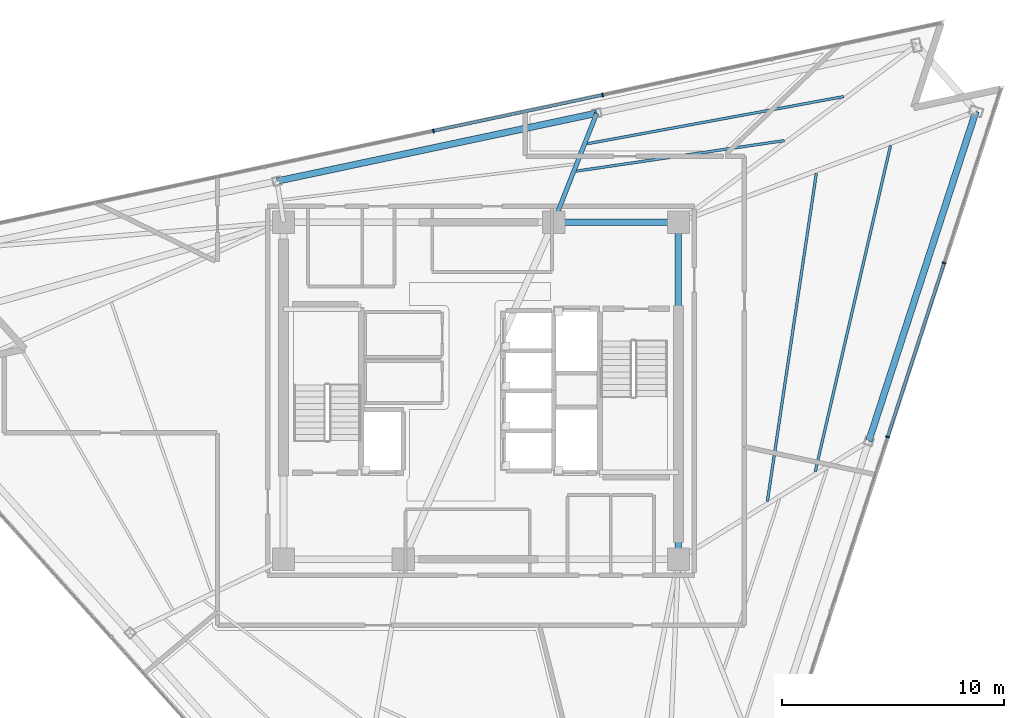
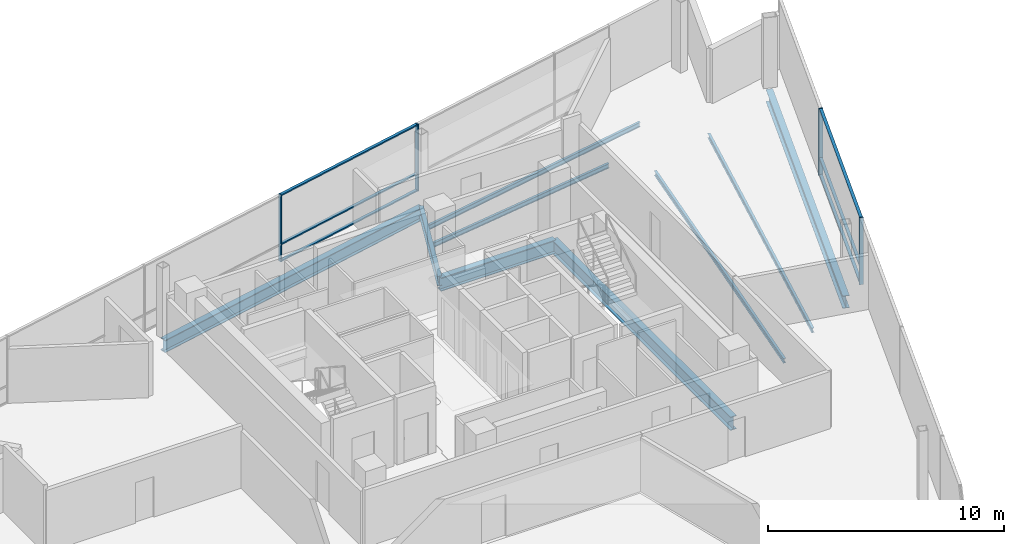
# One storey, part 7 of 15: 10 members, 9 beams, 2 elements without a shape of their own.
"""IFC4 building model written with IfcOpenShell, lengths in metres."""

from ifc_helpers import new_model, si_unit, direction, frame, origin, origin_2d, place, context, subcontext, project, spatial, rectangle, i_section, extrude, material, layer, layer_set, material_profile, profile_set, type_object, element, aggregate, save


model = new_model("IFC4")

# Units and contexts
model_context = context("Model", 3, precision=1e-05, world=origin(), true_north=direction((0.0, 1.0)))
body_context = subcontext(model_context, "Body", "Model", "MODEL_VIEW")
ifc_project = project(units=[si_unit("LENGTHUNIT", "METRE"), si_unit("AREAUNIT", "SQUARE_METRE"), si_unit("VOLUMEUNIT", "CUBIC_METRE"), si_unit("PLANEANGLEUNIT", "RADIAN"), si_unit("MASSUNIT", "GRAM", prefix="KILO")], contexts=[model_context])

# Site, building, storey
site_placement = place(None, origin())
site = spatial("IfcSite", under=ifc_project, at=site_placement, CompositionType="ELEMENT")
building_placement = place(site_placement, origin())
building = spatial("IfcBuilding", under=site, at=building_placement, Name="Tharavind Bronze Gate", CompositionType="ELEMENT")
storey_placement = place(building_placement, frame((0.0, 0.0, 283.39990234375)))
storey = spatial("IfcBuildingStorey", under=building, at=storey_placement, Name="L73", CompositionType="ELEMENT", Elevation=283.39990234375)

# Curtain wall, members
ifc_material_1 = material(Name="Anodised Bronze Aluminium", Category="aluminium")
ifc_layer = layer(ifc_material_1, 0.219970703125)
ifc_layer_set = layer_set([ifc_layer], Name="Anodised Bronze Aluminium")
curtain_wall_type = type_object("IfcCurtainWallType", Name="UNITISED CURTAIN WALL CROWN", PredefinedType="USERDEFINED", material=ifc_layer_set)
curtain_wall_1_placement = place(storey_placement, origin())
curtain_wall_1 = element("IfcCurtainWall", 1, at=curtain_wall_1_placement, inside=storey, type_object=curtain_wall_type, Name="L73 unitised curtain wall crown CW-L73-S2", ObjectType="UNITISED CURTAIN WALL", PredefinedType="USERDEFINED")
member_type_1 = type_object("IfcMemberType", Name="CURTAIN WALL BRONZE MULLION 65X180", PredefinedType="MULLION", material=ifc_material_1)
member_1_placement = place(storey_placement, frame((18.336181640625, -2.08544921875, 0.0), z_axis=(0.0, 0.0, 1.0), x_axis=(0.309016994375, 0.951056516295, 0.0)))
member_1 = element("IfcMember", 2, at=member_1_placement, type_object=member_type_1, Name="CW-L73-S2 mullion 5", PredefinedType="MULLION", context=body_context, shape_type="SweptSolid", body=[
    extrude(rectangle(XDim=0.06494140625, YDim=0.179931640625, at=origin_2d()), origin(), (0.0, 0.0, 1.0), 3.465087890625),
])
member_2_placement = place(storey_placement, frame((20.885009765625, 5.759033203125, 0.0), z_axis=(0.0, 0.0, 1.0), x_axis=(0.309016994375, 0.951056516295, 0.0)))
member_2 = element("IfcMember", 3, at=member_2_placement, type_object=member_type_1, Name="CW-L73-S2 mullion 6", PredefinedType="MULLION", context=body_context, shape_type="SweptSolid", body=[
    extrude(rectangle(XDim=0.06494140625, YDim=0.179931640625, at=origin_2d()), origin(), (0.0, 0.0, 1.0), 3.465087890625),
])

curtain_wall_2_placement = place(storey_placement, origin())
curtain_wall_2 = element("IfcCurtainWall", 4, at=curtain_wall_2_placement, inside=storey, type_object=curtain_wall_type, Name="L73 unitised curtain wall crown CW-L73-S3", ObjectType="UNITISED CURTAIN WALL", PredefinedType="USERDEFINED")
member_3_placement = place(storey_placement, frame((5.487548828125, 13.33740234375, 0.0), z_axis=(0.0, 0.0, 1.0), x_axis=(-0.978147237858, -0.207913398007, 0.0)))
member_3 = element("IfcMember", 5, at=member_3_placement, type_object=member_type_1, Name="CW-L73-S3 mullion 3", PredefinedType="MULLION", context=body_context, shape_type="SweptSolid", body=[
    extrude(rectangle(XDim=0.06494140625, YDim=0.179931640625, at=origin_2d()), origin(), (0.0, 0.0, 1.0), 3.465087890625),
])
member_4_placement = place(storey_placement, frame((-2.14453125, 11.715087890625, 0.0), z_axis=(0.0, 0.0, 1.0), x_axis=(-0.978147237858, -0.207913398007, 0.0)))
member_4 = element("IfcMember", 6, at=member_4_placement, type_object=member_type_1, Name="CW-L73-S3 mullion 4", PredefinedType="MULLION", context=body_context, shape_type="SweptSolid", body=[
    extrude(rectangle(XDim=0.06494140625, YDim=0.179931640625, at=origin_2d()), origin(), (0.0, 0.0, 1.0), 3.465087890625),
])

# Member
member_type_2 = type_object("IfcMemberType", Name="CURTAIN WALL BRONZE TRANSOM 65X140", PredefinedType="USERDEFINED", material=ifc_material_1)
member_5_placement = place(storey_placement, frame((19.610595703125, 1.8369140625, 0.000244140625), z_axis=(0.0, 0.0, 1.0), x_axis=(0.309016994375, 0.951056516295, 0.0)))
member_5 = element("IfcMember", 7, at=member_5_placement, type_object=member_type_2, Name="CW-L73-S2 transom TB5", ObjectType="TRANSOM", PredefinedType="USERDEFINED", context=body_context, shape_type="SweptSolid", body=[
    extrude(rectangle(XDim=8.195068359375, YDim=0.139892578125, at=origin_2d()), origin(), (0.0, 0.0, 1.0), 0.06494140625),
])

member_6_placement = place(storey_placement, frame((19.610595703125, 1.8369140625, 0.86767578125), z_axis=(0.0, 0.0, 1.0), x_axis=(0.309016994375, 0.951056516295, 0.0)))
member_6 = element("IfcMember", 8, at=member_6_placement, type_object=member_type_2, Name="CW-L73-S2 transom TS5", ObjectType="TRANSOM", PredefinedType="USERDEFINED", context=body_context, shape_type="SweptSolid", body=[
    extrude(rectangle(XDim=8.195068359375, YDim=0.139892578125, at=origin_2d()), origin(), (0.0, 0.0, 1.0), 0.06494140625),
])

member_7_placement = place(storey_placement, frame((19.610595703125, 1.8369140625, 3.400146484375), z_axis=(0.0, 0.0, 1.0), x_axis=(0.309016994375, 0.951056516295, 0.0)))
member_7 = element("IfcMember", 9, at=member_7_placement, type_object=member_type_2, Name="CW-L73-S2 transom TT5", ObjectType="TRANSOM", PredefinedType="USERDEFINED", context=body_context, shape_type="SweptSolid", body=[
    extrude(rectangle(XDim=8.195068359375, YDim=0.139892578125, at=origin_2d()), origin(), (0.0, 0.0, 1.0), 0.06494140625),
])

aggregate(curtain_wall_1, [member_1, member_2, member_5, member_6, member_7])

member_8_placement = place(storey_placement, frame((1.67138671875, 12.526123046875, 0.000244140625), z_axis=(0.0, 0.0, 1.0), x_axis=(-0.978147237858, -0.207913398007, 0.0)))
member_8 = element("IfcMember", 10, at=member_8_placement, type_object=member_type_2, Name="CW-L73-S3 transom TB3", ObjectType="TRANSOM", PredefinedType="USERDEFINED", context=body_context, shape_type="SweptSolid", body=[
    extrude(rectangle(XDim=7.749755859375, YDim=0.139892578125, at=origin_2d()), origin(), (0.0, 0.0, 1.0), 0.06494140625),
])

member_9_placement = place(storey_placement, frame((1.67138671875, 12.526123046875, 0.86767578125), z_axis=(0.0, 0.0, 1.0), x_axis=(-0.978147237858, -0.207913398007, 0.0)))
member_9 = element("IfcMember", 11, at=member_9_placement, type_object=member_type_2, Name="CW-L73-S3 transom TS3", ObjectType="TRANSOM", PredefinedType="USERDEFINED", context=body_context, shape_type="SweptSolid", body=[
    extrude(rectangle(XDim=7.749755859375, YDim=0.139892578125, at=origin_2d()), origin(), (0.0, 0.0, 1.0), 0.06494140625),
])

member_10_placement = place(storey_placement, frame((1.67138671875, 12.526123046875, 3.400146484375), z_axis=(0.0, 0.0, 1.0), x_axis=(-0.978147237858, -0.207913398007, 0.0)))
member_10 = element("IfcMember", 12, at=member_10_placement, type_object=member_type_2, Name="CW-L73-S3 transom TT3", ObjectType="TRANSOM", PredefinedType="USERDEFINED", context=body_context, shape_type="SweptSolid", body=[
    extrude(rectangle(XDim=7.749755859375, YDim=0.139892578125, at=origin_2d()), origin(), (0.0, 0.0, 1.0), 0.06494140625),
])

aggregate(curtain_wall_2, [member_3, member_4, member_8, member_9, member_10])

# Beams
ifc_material_2 = material(Name="Steel S355", Category="steel")
ifc_material_profile_1 = material_profile(ifc_material_2, i_section(OverallWidth=0.300048828125, OverallDepth=0.64990234375, WebThickness=0.01611328125, FlangeThickness=0.031005859375, at=origin_2d()), Name="HE650B")
ifc_profile_set_1 = profile_set([ifc_material_profile_1], Name="Steel S355")
beam_type_1 = type_object("IfcBeamType", Name="PRIMARY GIRDER HE650B", PredefinedType="USERDEFINED", material=ifc_profile_set_1)
beam_1_placement = place(storey_placement, frame((17.4892578125, -2.265380859375, -0.510009765625), z_axis=(0.309011547215, 0.951058286168, 0.0), x_axis=(-0.951058286168, 0.309011547215, 0.0)))
element("IfcBeam", 13, at=beam_1_placement, inside=storey, type_object=beam_type_1, Name="L73 primary girder he650b BM-L73-PRG07", ObjectType="GIRDER", PredefinedType="USERDEFINED", context=body_context, shape_type="SweptSolid", body=[
    extrude(i_section(OverallWidth=0.300048828125, OverallDepth=0.64990234375, WebThickness=0.01611328125, FlangeThickness=0.031005859375, at=origin_2d()), origin(), (0.0, 0.0, 1.0), 15.6298828125),
])
beam_2_placement = place(storey_placement, frame((5.219970703125, 12.513671875, -0.510009765625), z_axis=(-0.97814794647, -0.207910064249, 0.0), x_axis=(0.207910064249, -0.97814794647, 0.0)))
element("IfcBeam", 14, at=beam_2_placement, inside=storey, type_object=beam_type_1, Name="L73 primary girder he650b BM-L73-PRG10", ObjectType="GIRDER", PredefinedType="USERDEFINED", context=body_context, shape_type="SweptSolid", body=[
    extrude(i_section(OverallWidth=0.300048828125, OverallDepth=0.64990234375, WebThickness=0.01611328125, FlangeThickness=0.031005859375, at=origin_2d()), origin(), (0.0, 0.0, 1.0), 14.7392578125),
])
ifc_material_profile_2 = material_profile(ifc_material_2, i_section(OverallWidth=0.199951171875, OverallDepth=0.5, WebThickness=0.01025390625, FlangeThickness=0.01611328125, at=origin_2d()), Name="IPE500")
ifc_profile_set_2 = profile_set([ifc_material_profile_2], Name="Steel S355")
beam_type_2 = type_object("IfcBeamType", Name="PRIMARY GIRDER IPE500", PredefinedType="USERDEFINED", material=ifc_profile_set_2)
beam_3_placement = place(storey_placement, frame((5.219970703125, 12.513671875, -0.434814453125), z_axis=(-0.367227563748, -0.930131128618, 0.0), x_axis=(0.930131128618, -0.367227563748, 0.0)))
element("IfcBeam", 15, at=beam_3_placement, inside=storey, type_object=beam_type_2, Name="L73 primary girder ipe500 BM-L73-RAD10", ObjectType="GIRDER", PredefinedType="USERDEFINED", context=body_context, shape_type="SweptSolid", body=[
    extrude(i_section(OverallWidth=0.199951171875, OverallDepth=0.5, WebThickness=0.01025390625, FlangeThickness=0.01611328125, at=origin_2d()), origin(), (0.0, 0.0, 1.0), 5.28271484375),
])
ifc_material_profile_3 = material_profile(ifc_material_2, i_section(OverallWidth=0.300048828125, OverallDepth=0.699951171875, WebThickness=0.01708984375, FlangeThickness=0.031982421875, at=origin_2d()), Name="HE700B")
ifc_profile_set_3 = profile_set([ifc_material_profile_3], Name="Steel S355")
beam_type_3 = type_object("IfcBeamType", Name="RING GIRDER HE700B", PredefinedType="USERDEFINED", material=ifc_profile_set_3)
beam_4_placement = place(storey_placement, frame((8.89990234375, -7.60009765625, -0.534912109375), z_axis=(0.0, 1.0, 0.0), x_axis=(-1.0, 0.0, 0.0)))
element("IfcBeam", 16, at=beam_4_placement, inside=storey, type_object=beam_type_3, Name="L73 ring girder he700b BM-L73-CR3", ObjectType="GIRDER", PredefinedType="USERDEFINED", context=body_context, shape_type="SweptSolid", body=[
    extrude(i_section(OverallWidth=0.300048828125, OverallDepth=0.699951171875, WebThickness=0.01708984375, FlangeThickness=0.031982421875, at=origin_2d()), origin(), (0.0, 0.0, 1.0), 15.2001953125),
])
beam_5_placement = place(storey_placement, frame((8.89990234375, 7.60009765625, -0.534912109375), z_axis=(-1.0, 0.0, 0.0), x_axis=(0.0, -1.0, 0.0)))
element("IfcBeam", 17, at=beam_5_placement, inside=storey, type_object=beam_type_3, Name="L73 ring girder he700b BM-L73-CR4", ObjectType="GIRDER", PredefinedType="USERDEFINED", context=body_context, shape_type="SweptSolid", body=[
    extrude(i_section(OverallWidth=0.300048828125, OverallDepth=0.699951171875, WebThickness=0.01708984375, FlangeThickness=0.031982421875, at=origin_2d()), origin(), (0.0, 0.0, 1.0), 5.619873046875),
])
ifc_material_profile_4 = material_profile(ifc_material_2, i_section(OverallWidth=0.1201171875, OverallDepth=0.239990234375, WebThickness=0.006103515625, FlangeThickness=0.009765625, at=origin_2d()), Name="IPE240")
ifc_profile_set_4 = profile_set([ifc_material_profile_4], Name="Steel S355")
beam_type_4 = type_object("IfcBeamType", Name="SECONDARY FLOOR JOIST IPE240", PredefinedType="JOIST", material=ifc_profile_set_4)
beam_6_placement = place(storey_placement, frame((12.913818359375, -4.985595703125, -0.304931640625), z_axis=(0.147668368553, 0.989036932035, 0.0), x_axis=(-0.989036932035, 0.147668368553, 0.0)))
element("IfcBeam", 18, at=beam_6_placement, inside=storey, type_object=beam_type_4, Name="L73 secondary floor joist ipe240 BM-L73-JSTA07", PredefinedType="JOIST", context=body_context, shape_type="SweptSolid", body=[
    extrude(i_section(OverallWidth=0.1201171875, OverallDepth=0.239990234375, WebThickness=0.006103515625, FlangeThickness=0.009765625, at=origin_2d()), origin(), (0.0, 0.0, 1.0), 14.95751953125),
])
beam_7_placement = place(storey_placement, frame((15.073974609375, -3.644287109375, -0.304931640625), z_axis=(0.224913878483, 0.974378646762, 0.0), x_axis=(-0.974378646762, 0.224913878483, 0.0)))
element("IfcBeam", 19, at=beam_7_placement, inside=storey, type_object=beam_type_4, Name="L73 secondary floor joist ipe240 BM-L73-JSTB07", PredefinedType="JOIST", context=body_context, shape_type="SweptSolid", body=[
    extrude(i_section(OverallWidth=0.1201171875, OverallDepth=0.239990234375, WebThickness=0.006103515625, FlangeThickness=0.009765625, at=origin_2d()), origin(), (0.0, 0.0, 1.0), 15.0849609375),
])
beam_8_placement = place(storey_placement, frame((13.679931640625, 11.278564453125, -0.304931640625), z_axis=(-0.989403029467, -0.145195197172, 0.0), x_axis=(0.145195197172, -0.989403029467, 0.0)))
element("IfcBeam", 20, at=beam_8_placement, inside=storey, type_object=beam_type_4, Name="L73 secondary floor joist ipe240 BM-L73-JSTA09", PredefinedType="JOIST", context=body_context, shape_type="SweptSolid", body=[
    extrude(i_section(OverallWidth=0.1201171875, OverallDepth=0.239990234375, WebThickness=0.006103515625, FlangeThickness=0.009765625, at=origin_2d()), origin(), (0.0, 0.0, 1.0), 9.47998046875),
])
beam_9_placement = place(storey_placement, frame((16.350341796875, 13.2626953125, -0.304931640625), z_axis=(-0.983492984131, -0.180946263195, 0.0), x_axis=(0.180946263195, -0.983492984131, 0.0)))
element("IfcBeam", 21, at=beam_9_placement, inside=storey, type_object=beam_type_4, Name="L73 secondary floor joist ipe240 BM-L73-JSTB09", PredefinedType="JOIST", context=body_context, shape_type="SweptSolid", body=[
    extrude(i_section(OverallWidth=0.1201171875, OverallDepth=0.239990234375, WebThickness=0.006103515625, FlangeThickness=0.009765625, at=origin_2d()), origin(), (0.0, 0.0, 1.0), 11.75732421875),
])

save(model, "model.ifc")
